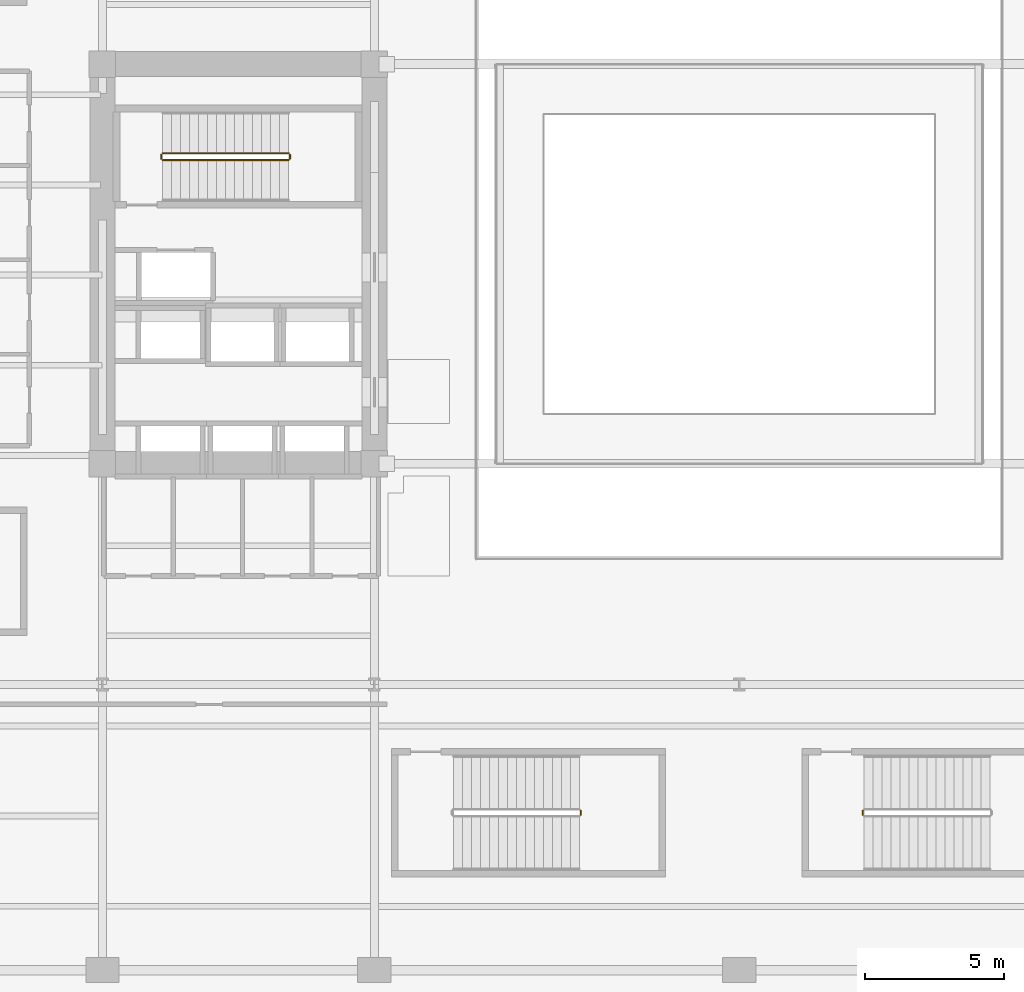
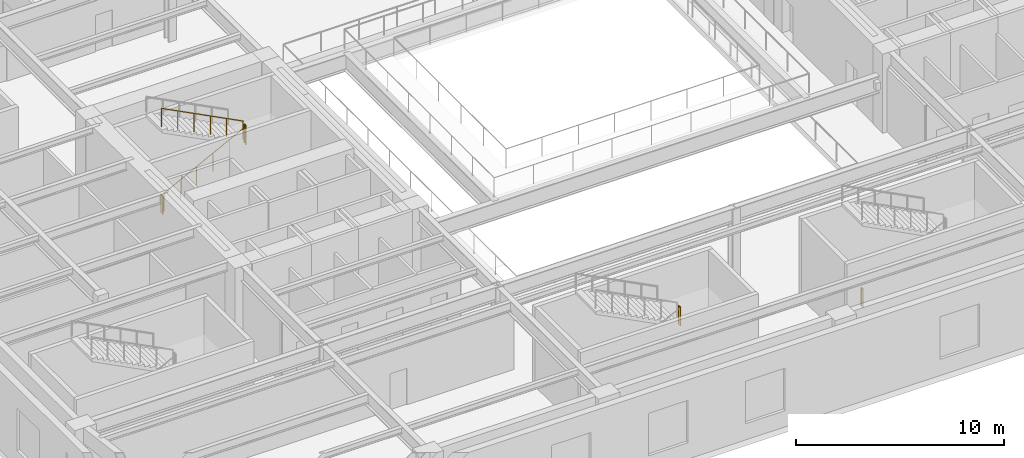
# One storey, part 14 of 21: 6 railings.
"""IFC4 building model written with IfcOpenShell, lengths in metres."""

from ifc_helpers import new_model, si_unit, direction, frame, origin, origin_2d, place, context, subcontext, project, spatial, circle, extrude, material, type_object, element, save


model = new_model("IFC4")

# Units and contexts
model_context = context("Model", 3, precision=1e-05, world=origin(), true_north=direction((0.0, 1.0)))
body_context = subcontext(model_context, "Body", "Model", "MODEL_VIEW")
ifc_project = project(units=[si_unit("LENGTHUNIT", "METRE"), si_unit("AREAUNIT", "SQUARE_METRE"), si_unit("VOLUMEUNIT", "CUBIC_METRE"), si_unit("PLANEANGLEUNIT", "RADIAN"), si_unit("MASSUNIT", "GRAM", prefix="KILO")], contexts=[model_context])

# Site, building, storey
site_placement = place(None, origin())
site = spatial("IfcSite", under=ifc_project, at=site_placement, CompositionType="ELEMENT")
building_placement = place(site_placement, origin())
building = spatial("IfcBuilding", under=site, at=building_placement, Name="Kolvaren Arena Tower", CompositionType="ELEMENT")
storey_placement = place(building_placement, frame((0.0, 0.0, 18.0)))
storey = spatial("IfcBuildingStorey", under=building, at=storey_placement, Name="L03", CompositionType="ELEMENT", Elevation=18.0)

# Railings
ifc_material = material(Name="Painted galvanized steel", Category="steel")
railing_type = type_object("IfcRailingType", Name="GUARD-ST-110", PredefinedType="GUARDRAIL", material=ifc_material)
railing_1_placement = place(storey_placement, frame((16.719970703125, 30.389892578125, 0.166748046875)))
element("IfcRailing", 1, at=railing_1_placement, inside=storey, type_object=railing_type, Name="L03 ST-W1 stair guard 1", PredefinedType="GUARDRAIL", context=body_context, shape_type="SweptSolid", body=[
    extrude(circle(Radius=0.02392578125, at=origin_2d()), frame((0.0, 0.0, 1.076171875), z_axis=(0.889257211316, 0.0, 0.457407490234), x_axis=(0.0, 1.0, 0.0)), (0.0, 0.0, 1.0), 5.10107421875),
    extrude(circle(Radius=0.02099609375, at=origin_2d()), origin(), (0.0, 0.0, 1.0), 1.052001953125),
    extrude(circle(Radius=0.02099609375, at=origin_2d()), frame((0.9072265625, 0.0, 0.466552734375)), (0.0, 0.0, 1.0), 1.052001953125),
    extrude(circle(Radius=0.02099609375, at=origin_2d()), frame((1.814453125, 0.0, 0.933349609375)), (0.0, 0.0, 1.0), 1.052001953125),
    extrude(circle(Radius=0.02099609375, at=origin_2d()), frame((2.7216796875, 0.0, 1.39990234375)), (0.0, 0.0, 1.0), 1.052001953125),
    extrude(circle(Radius=0.02099609375, at=origin_2d()), frame((3.62890625, 0.0, 1.86669921875)), (0.0, 0.0, 1.0), 1.052001953125),
    extrude(circle(Radius=0.02099609375, at=origin_2d()), frame((4.5361328125, 0.0, 2.333251953125)), (0.0, 0.0, 1.0), 1.052001953125),
])
railing_2_placement = place(storey_placement, frame((21.305908203125, 30.43994140625, 2.5)))
element("IfcRailing", 2, at=railing_2_placement, inside=storey, type_object=railing_type, Name="L03 ST-W1 stair guard 2", PredefinedType="GUARDRAIL", context=body_context, shape_type="SweptSolid", body=[
    extrude(circle(Radius=0.02392578125, at=origin_2d()), frame((0.0, 0.0, 1.076171875), z_axis=(0.0, 1.0, 0.0), x_axis=(-1.0, 0.0, 0.0)), (0.0, 0.0, 1.0), 0.150146484375),
    extrude(circle(Radius=0.02099609375, at=origin_2d()), origin(), (0.0, 0.0, 1.0), 1.052001953125),
    extrude(circle(Radius=0.02099609375, at=origin_2d()), frame((0.0, 0.150146484375, 0.0)), (0.0, 0.0, 1.0), 1.052001953125),
])
railing_3_placement = place(storey_placement, frame((21.256103515625, 30.639892578125, 2.666748046875)))
element("IfcRailing", 3, at=railing_3_placement, inside=storey, type_object=railing_type, Name="L03 ST-W1 stair guard 3", PredefinedType="GUARDRAIL", context=body_context, shape_type="SweptSolid", body=[
    extrude(circle(Radius=0.02392578125, at=origin_2d()), frame((0.0, 0.0, 1.076171875), z_axis=(-0.889257211316, 0.0, 0.457407490234), x_axis=(0.0, -1.0, 0.0)), (0.0, 0.0, 1.0), 5.10107421875),
    extrude(circle(Radius=0.02099609375, at=origin_2d()), origin(), (0.0, 0.0, 1.0), 1.052001953125),
    extrude(circle(Radius=0.02099609375, at=origin_2d()), frame((-0.9072265625, 0.0, 0.466552734375)), (0.0, 0.0, 1.0), 1.052001953125),
    extrude(circle(Radius=0.02099609375, at=origin_2d()), frame((-1.814453125, 0.0, 0.933349609375)), (0.0, 0.0, 1.0), 1.052001953125),
    extrude(circle(Radius=0.02099609375, at=origin_2d()), frame((-2.7216796875, 0.0, 1.39990234375)), (0.0, 0.0, 1.0), 1.052001953125),
    extrude(circle(Radius=0.02099609375, at=origin_2d()), frame((-3.62890625, 0.0, 1.86669921875)), (0.0, 0.0, 1.0), 1.052001953125),
    extrude(circle(Radius=0.02099609375, at=origin_2d()), frame((-4.5361328125, 0.0, 2.333251953125)), (0.0, 0.0, 1.0), 1.052001953125),
])
railing_4_placement = place(storey_placement, frame((16.669921875, 30.43994140625, 0.0)))
element("IfcRailing", 4, at=railing_4_placement, inside=storey, type_object=railing_type, Name="L03 ST-W1 stair guard 4", PredefinedType="GUARDRAIL", context=body_context, shape_type="SweptSolid", body=[
    extrude(circle(Radius=0.02392578125, at=origin_2d()), frame((0.0, 0.0, 1.076171875), z_axis=(0.0, 1.0, 0.0), x_axis=(-1.0, 0.0, 0.0)), (0.0, 0.0, 1.0), 0.150146484375),
    extrude(circle(Radius=0.02099609375, at=origin_2d()), origin(), (0.0, 0.0, 1.0), 1.052001953125),
    extrude(circle(Radius=0.02099609375, at=origin_2d()), frame((0.0, 0.150146484375, 0.0)), (0.0, 0.0, 1.0), 1.052001953125),
])
for number, where, name in (
    (5, (31.785888671875, 6.800048828125, 2.5), "L03 ST-A2 stair guard 2"),
    (6, (41.949951171875, 6.800048828125, 0.0), "L03 ST-A3 stair guard 4"),
):
    element("IfcRailing", number, at=place(storey_placement, frame(where)), inside=storey, type_object=railing_type, Name=name, PredefinedType="GUARDRAIL", context=body_context, shape_type="SweptSolid", body=[
        extrude(circle(Radius=0.02392578125, at=origin_2d()), frame((0.0, 0.0, 1.076171875), z_axis=(0.0, 1.0, 0.0), x_axis=(-1.0, 0.0, 0.0)), (0.0, 0.0, 1.0), 0.14990234375),
        extrude(circle(Radius=0.02099609375, at=origin_2d()), origin(), (0.0, 0.0, 1.0), 1.052001953125),
        extrude(circle(Radius=0.02099609375, at=origin_2d()), frame((0.0, 0.14990234375, 0.0)), (0.0, 0.0, 1.0), 1.052001953125),
    ])

save(model, "model.ifc")
